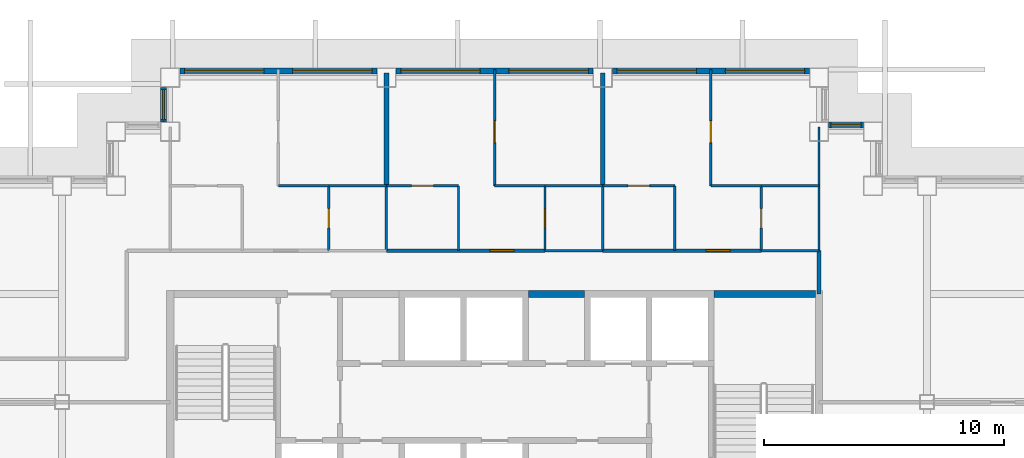
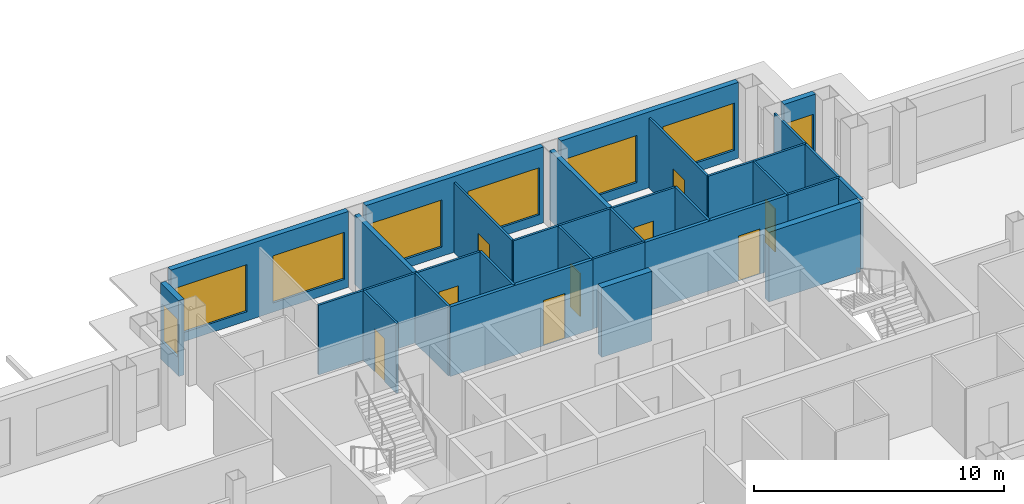
# One storey, part 8 of 14: 33 walls, 9 doors, 8 windows, 17 openings.
"""IFC4 building model written with IfcOpenShell, lengths in metres."""

import ifcopenshell
import ifcopenshell.guid

model = None  # the IFC model being written
_history = None  # IfcOwnerHistory: only IFC2X3 demands one
_inside = {}  # id of a spatial element -> (the spatial element, [elements in it])
_under = {}  # id of a project, library or spatial element -> (it, [spatial elements below it])
_declared = {}  # id of a project -> (the project, [libraries it declares])
_typed = {}  # id of a type object -> (the type object, [elements of that type])
_made_of = {}  # id of a material, layer set ... -> (it, [elements and type objects made of it])


def new_model(schema):
    """Start an empty IFC model of exactly this schema.

    Asked for "IFC4X3", IfcOpenShell would pick the latest addendum, in which some entities
    have other attributes; the version numbers below select the first issue.
    IFC2X3 requires an IfcOwnerHistory on every rooted entity: one is made here for all.
    """
    global model, _history
    if schema == "IFC4X3":
        model = ifcopenshell.file(schema_version=(4, 3, 0, 0))
    else:
        model = ifcopenshell.file(schema=schema)
    _inside.clear()
    _under.clear()
    _declared.clear()
    _typed.clear()
    _made_of.clear()
    _history = None
    if model.schema == "IFC2X3":
        org = make("IfcOrganization", Name="unknown")
        user = make(
            "IfcPersonAndOrganization",
            ThePerson=make("IfcPerson", FamilyName="unknown"),
            TheOrganization=org,
        )
        app = make(
            "IfcApplication",
            ApplicationDeveloper=org,
            Version="unknown",
            ApplicationFullName="unknown",
            ApplicationIdentifier="unknown",
        )
        _history = make(
            "IfcOwnerHistory",
            OwningUser=user,
            OwningApplication=app,
            ChangeAction="ADDED",
            CreationDate=0,
        )
    return model


def make(cls, **values):
    """One entity of the class cls with the attributes given. An attribute that is None is left unset."""
    return model.create_entity(
        cls, **{name: value for name, value in values.items() if value is not None}
    )


def rooted(cls, **values):
    """An entity with a GlobalId (a new one), such as an element, a storey or a relation."""
    return make(cls, GlobalId=ifcopenshell.guid.new(), OwnerHistory=_history, **values)


def si_unit(unit_type, name, prefix=None):
    """IfcSIUnit, for example si_unit("LENGTHUNIT", "METRE", prefix="MILLI")."""
    return make("IfcSIUnit", UnitType=unit_type, Prefix=prefix, Name=name)


def assignment(units):
    """IfcUnitAssignment: the units of a project."""
    return None if units is None else make("IfcUnitAssignment", Units=units)


def point(xyz):
    """IfcCartesianPoint."""
    return None if xyz is None else make("IfcCartesianPoint", Coordinates=xyz)


def direction(xyz):
    """IfcDirection."""
    return None if xyz is None else make("IfcDirection", DirectionRatios=xyz)


def frame(location, z_axis=None, x_axis=None):
    """IfcAxis2Placement3D, a coordinate frame: its origin and axes. An axis left out is left unset."""
    return make(
        "IfcAxis2Placement3D",
        Location=point(location),
        Axis=direction(z_axis),
        RefDirection=direction(x_axis),
    )


def frame_2d(location, x_axis=None):
    """IfcAxis2Placement2D, a coordinate frame in the plane: its origin and x axis."""
    return make(
        "IfcAxis2Placement2D", Location=point(location), RefDirection=direction(x_axis)
    )


def origin():
    """The frame at (0, 0, 0) with its axes left unset."""
    return frame((0.0, 0.0, 0.0))


def place(relative_to, where):
    """IfcLocalPlacement: puts the frame where relative to a parent placement (None: the world)."""
    return make(
        "IfcLocalPlacement", PlacementRelTo=relative_to, RelativePlacement=where
    )


def context(
    kind, dimensions, precision=None, world=None, true_north=None, identifier=None
):
    """IfcGeometricRepresentationContext, for example the 3D "Model" context."""
    return make(
        "IfcGeometricRepresentationContext",
        ContextIdentifier=identifier,
        ContextType=kind,
        CoordinateSpaceDimension=dimensions,
        Precision=precision,
        WorldCoordinateSystem=world,
        TrueNorth=true_north,
    )


def subcontext(parent, identifier, kind, view, scale=None):
    """IfcGeometricRepresentationSubContext, for example "Body" below "Model"."""
    return make(
        "IfcGeometricRepresentationSubContext",
        ContextIdentifier=identifier,
        ContextType=kind,
        ParentContext=parent,
        TargetScale=scale,
        TargetView=view,
    )


def project(units=None, contexts=None):
    """IfcProject with its units and contexts."""
    return rooted(
        "IfcProject",
        Name="project",
        RepresentationContexts=contexts,
        UnitsInContext=assignment(units),
    )


def spatial(cls, under=None, at=None, **own):
    """A site, building, storey or space (cls), placed at a placement, below another one or the project."""
    s = rooted(cls, ObjectPlacement=at, **own)
    if under is not None:
        _under.setdefault(under.id(), (under, []))[1].append(s)
    return s


def profile(cls, at=None, kind="AREA", **sizes):
    """A parametric profile (cls). Its sizes go by their IFC names, for example OverallWidth=200.0."""
    return make(cls, ProfileType=kind, Position=at, **sizes)


def rectangle(**sizes):
    """IfcRectangleProfileDef."""
    return profile("IfcRectangleProfileDef", **sizes)


def extrude(swept, where, along, depth):
    """IfcExtrudedAreaSolid: the profile swept, set in the frame where, extruded along a direction by depth."""
    return make(
        "IfcExtrudedAreaSolid",
        SweptArea=swept,
        Position=where,
        ExtrudedDirection=direction(along),
        Depth=depth,
    )


def shape(context_of_items, identifier, shape_type, items):
    """IfcShapeRepresentation: the items that make up one representation, for example the "Body"."""
    return make(
        "IfcShapeRepresentation",
        ContextOfItems=context_of_items,
        RepresentationIdentifier=identifier,
        RepresentationType=shape_type,
        Items=items,
    )


def material(Name=None, Category=None):
    """IfcMaterial."""
    return make("IfcMaterial", Name=Name, Category=Category)


def layer(
    of_material, thickness, ventilated=None, Name=None, Category=None, Priority=None
):
    """IfcMaterialLayer: one layer of a wall or slab, of a material (None: an air gap)."""
    return make(
        "IfcMaterialLayer",
        Material=of_material,
        LayerThickness=thickness,
        IsVentilated=ventilated,
        Name=Name,
        Category=Category,
        Priority=Priority,
    )


def layer_set(layers, Name=None):
    """IfcMaterialLayerSet."""
    return make("IfcMaterialLayerSet", MaterialLayers=layers, LayerSetName=Name)


def made_of(thing, what):
    """Note that an element or type object is made of a material, layer set ...; save() writes the relation."""
    if what is not None:
        _made_of.setdefault(what.id(), (what, []))[1].append(thing)
    return thing


def type_object(cls, material=None, **own):
    """A type object (cls), such as IfcWallType, which elements share."""
    return made_of(rooted(cls, **own), material)


def element(
    cls,
    number,
    at=None,
    inside=None,
    cuts=None,
    type_object=None,
    material=None,
    context=None,
    identifier="Body",
    shape_type=None,
    held_by="IfcProductDefinitionShape",
    body=None,
    shapes=None,
    **own,
):
    """One element of the class cls, such as IfcWall. Its Tag is "e" and its number.

    at: its placement. inside: the storey or other place that contains it. cuts: it is an
    opening in that element (IfcRelVoidsElement). A single representation is given by context,
    identifier, shape_type and body (its items); several are given by shapes. held_by: the class
    of the entity that holds the representations. save() writes the other relations.
    """
    e = rooted(cls, Tag="e%d" % number, ObjectPlacement=at, **own)
    if body is not None:
        shapes = [shape(context, identifier, shape_type, body)]
    if shapes is not None:
        e.Representation = make(held_by, Representations=shapes)
    if inside is not None:
        _inside.setdefault(inside.id(), (inside, []))[1].append(e)
    if cuts is not None:
        rooted(
            "IfcRelVoidsElement", RelatingBuildingElement=cuts, RelatedOpeningElement=e
        )
    if type_object is not None:
        _typed.setdefault(type_object.id(), (type_object, []))[1].append(e)
    return made_of(e, material)


def fill(opening, filler):
    """IfcRelFillsElement: the door or window that sits in an opening."""
    return rooted(
        "IfcRelFillsElement",
        RelatingOpeningElement=opening,
        RelatedBuildingElement=filler,
    )


def aggregate(whole, parts):
    """IfcRelAggregates: a whole, such as a stair, and the parts it consists of."""
    return rooted("IfcRelAggregates", RelatingObject=whole, RelatedObjects=parts)


def save(model, path):
    """Write the relations noted so far, then the file.

    IfcRelAggregates (storeys below a building ...), IfcRelContainedInSpatialStructure (elements
    in a storey), IfcRelDefinesByType, IfcRelAssociatesMaterial and IfcRelDeclares: one each for
    every whole, place, type object, material and project.
    """
    for whole, parts in _under.values():
        aggregate(whole, parts)
    for where, things in _inside.values():
        rooted(
            "IfcRelContainedInSpatialStructure",
            RelatedElements=things,
            RelatingStructure=where,
        )
    for kind, things in _typed.values():
        rooted("IfcRelDefinesByType", RelatedObjects=things, RelatingType=kind)
    for what, things in _made_of.values():
        rooted("IfcRelAssociatesMaterial", RelatedObjects=things, RelatingMaterial=what)
    for by, libraries in _declared.values():
        rooted("IfcRelDeclares", RelatingContext=by, RelatedDefinitions=libraries)
    model.write(path)


model = new_model("IFC4")

# Units and contexts
model_context = context("Model", 3, precision=1e-05, world=origin(), true_north=direction((0.0, 1.0)))
body_context = subcontext(model_context, "Body", "Model", "MODEL_VIEW")
ifc_project = project(units=[si_unit("LENGTHUNIT", "METRE"), si_unit("AREAUNIT", "SQUARE_METRE"), si_unit("VOLUMEUNIT", "CUBIC_METRE"), si_unit("PLANEANGLEUNIT", "RADIAN"), si_unit("MASSUNIT", "GRAM", prefix="KILO")], contexts=[model_context])

# Site, building, storey
site_placement = place(None, origin())
site = spatial("IfcSite", under=ifc_project, at=site_placement, CompositionType="ELEMENT")
building_placement = place(site_placement, origin())
building = spatial("IfcBuilding", under=site, at=building_placement, Name="Caravel Reach Hotel and Residences", CompositionType="ELEMENT")
storey_placement = place(building_placement, frame((0.0, 0.0, 161.699951171875)))
storey = spatial("IfcBuildingStorey", under=building, at=storey_placement, Name="L40", CompositionType="ELEMENT", Elevation=161.699951171875)

# Walls
ifc_material_1 = material(Name="Gypsum board on steel stud", Category="steel")
ifc_layer_1 = layer(ifc_material_1, 0.10009765625)
ifc_layer_set_1 = layer_set([ifc_layer_1], Name="Bathroom pod wall 100 mm")
wall_type_1 = type_object("IfcWallType", Name="Bathroom pod wall 100 mm", PredefinedType="PARTITIONING", material=ifc_layer_set_1)
for number, where, z_axis, x_axis, name in (
    (1, (33.60009765625, 33.300048828125, 0.0), (0.0, 0.0, 1.0), (1.0, 0.0, 0.0), "L40 wall w084"),
    (2, (42.60009765625, 33.300048828125, 0.0), (0.0, 0.0, 1.0), (1.0, 0.0, 0.0), "L40 wall w085"),
    (3, (24.60009765625, 36.0, 0.0), (0.0, 0.0, 1.0), (1.0, 0.0, 0.0), "L40 wall w086"),
    (4, (33.60009765625, 36.0, 0.0), (0.0, 0.0, 1.0), (1.0, 0.0, 0.0), "L40 wall w087"),
    (5, (42.60009765625, 36.0, 0.0), (0.0, 0.0, 1.0), (1.0, 0.0, 0.0), "L40 wall w088"),
):
    element("IfcWall", number, at=place(storey_placement, frame(where, z_axis=z_axis, x_axis=x_axis)), inside=storey, type_object=wall_type_1, Name=name, PredefinedType="PARTITIONING", context=body_context, shape_type="SweptSolid", body=[
        extrude(rectangle(XDim=2.39990234375, YDim=0.10009765625, at=frame_2d((1.199951171875, 0.0))), origin(), (0.0, 0.0, 1.0), 3.400146484375),
    ])

# Wall, opening, door
wall_1_placement = place(storey_placement, frame((24.60009765625, 33.300048828125, 0.0), z_axis=(0.0, 0.0, 1.0), x_axis=(0.0, 1.0, 0.0)))
wall_1 = element("IfcWall", 6, at=wall_1_placement, inside=storey, type_object=wall_type_1, Name="L40 wall w092", PredefinedType="PARTITIONING", context=body_context, shape_type="SweptSolid", body=[
    extrude(rectangle(XDim=2.699951171875, YDim=0.10009765625, at=frame_2d((1.35009765625, 0.0))), origin(), (0.0, 0.0, 1.0), 3.400146484375),
])
opening_1_placement = place(wall_1_placement, frame((0.949951171875, 0.0, 0.0)))
opening_1 = element("IfcOpeningElement", 7, at=opening_1_placement, cuts=wall_1, Name="Opening D40-018", PredefinedType="OPENING", context=body_context, shape_type="SweptSolid", body=[
    extrude(rectangle(XDim=0.800048828125, YDim=2.10009765625, at=frame_2d((0.39990234375, 1.050048828125))), frame((0.0, 0.06005859375, 0.0), z_axis=(0.0, -1.0, 0.0), x_axis=(1.0, 0.0, 0.0)), (0.0, 0.0, 1.0), 0.1201171875),
])
ifc_material_2 = material(Name="Timber and steel door leaf", Category="steel")
door_type_1 = type_object("IfcDoorType", Name="Bathroom door 800 x 2100", OperationType="SINGLE_SWING_LEFT", PredefinedType="DOOR", material=ifc_material_2)
door_1_placement = place(opening_1_placement, origin())
door_1 = element("IfcDoor", 8, at=door_1_placement, inside=storey, type_object=door_type_1, Name="door D40-018", OperationType="SINGLE_SWING_LEFT", OverallHeight=2.10009765625, OverallWidth=0.800048828125, PredefinedType="DOOR", context=body_context, shape_type="SweptSolid", body=[
    extrude(rectangle(XDim=0.800048828125, YDim=2.10009765625, at=frame_2d((0.39990234375, 1.050048828125))), frame((0.0, 0.02490234375, 0.0), z_axis=(0.0, -1.0, 0.0), x_axis=(1.0, 0.0, 0.0)), (0.0, 0.0, 1.0), 0.050048828125),
])
fill(opening_1, door_1)

# Wall
wall_2_placement = place(storey_placement, frame((27.0, 33.300048828125, 0.0), z_axis=(0.0, 0.0, 1.0), x_axis=(0.0, 1.0, 0.0)))
element("IfcWall", 9, at=wall_2_placement, inside=storey, type_object=wall_type_1, Name="L40 wall w093", PredefinedType="PARTITIONING", context=body_context, shape_type="SweptSolid", body=[
    extrude(rectangle(XDim=2.699951171875, YDim=0.10009765625, at=frame_2d((1.35009765625, 0.0))), origin(), (0.0, 0.0, 1.0), 3.400146484375),
])

# Wall, opening, door
wall_3_placement = place(storey_placement, frame((33.60009765625, 33.300048828125, 0.0), z_axis=(0.0, 0.0, 1.0), x_axis=(0.0, 1.0, 0.0)))
wall_3 = element("IfcWall", 10, at=wall_3_placement, inside=storey, type_object=wall_type_1, Name="L40 wall w098", PredefinedType="PARTITIONING", context=body_context, shape_type="SweptSolid", body=[
    extrude(rectangle(XDim=2.699951171875, YDim=0.10009765625, at=frame_2d((1.35009765625, 0.0))), origin(), (0.0, 0.0, 1.0), 3.400146484375),
])
opening_2_placement = place(wall_3_placement, frame((0.949951171875, 0.0, 0.0)))
opening_2 = element("IfcOpeningElement", 11, at=opening_2_placement, cuts=wall_3, Name="Opening D40-022", PredefinedType="OPENING", context=body_context, shape_type="SweptSolid", body=[
    extrude(rectangle(XDim=0.800048828125, YDim=2.10009765625, at=frame_2d((0.39990234375, 1.050048828125))), frame((0.0, 0.06005859375, 0.0), z_axis=(0.0, -1.0, 0.0), x_axis=(1.0, 0.0, 0.0)), (0.0, 0.0, 1.0), 0.1201171875),
])
door_2_placement = place(opening_2_placement, origin())
door_2 = element("IfcDoor", 12, at=door_2_placement, inside=storey, type_object=door_type_1, Name="door D40-022", OperationType="SINGLE_SWING_LEFT", OverallHeight=2.10009765625, OverallWidth=0.800048828125, PredefinedType="DOOR", context=body_context, shape_type="SweptSolid", body=[
    extrude(rectangle(XDim=0.800048828125, YDim=2.10009765625, at=frame_2d((0.39990234375, 1.050048828125))), frame((0.0, 0.02490234375, 0.0), z_axis=(0.0, -1.0, 0.0), x_axis=(1.0, 0.0, 0.0)), (0.0, 0.0, 1.0), 0.050048828125),
])
fill(opening_2, door_2)

# Wall
wall_4_placement = place(storey_placement, frame((36.0, 33.300048828125, 0.0), z_axis=(0.0, 0.0, 1.0), x_axis=(0.0, 1.0, 0.0)))
element("IfcWall", 13, at=wall_4_placement, inside=storey, type_object=wall_type_1, Name="L40 wall w099", PredefinedType="PARTITIONING", context=body_context, shape_type="SweptSolid", body=[
    extrude(rectangle(XDim=2.699951171875, YDim=0.10009765625, at=frame_2d((1.35009765625, 0.0))), origin(), (0.0, 0.0, 1.0), 3.400146484375),
])

# Wall, opening, door
wall_5_placement = place(storey_placement, frame((42.60009765625, 33.300048828125, 0.0), z_axis=(0.0, 0.0, 1.0), x_axis=(0.0, 1.0, 0.0)))
wall_5 = element("IfcWall", 14, at=wall_5_placement, inside=storey, type_object=wall_type_1, Name="L40 wall w102", PredefinedType="PARTITIONING", context=body_context, shape_type="SweptSolid", body=[
    extrude(rectangle(XDim=2.699951171875, YDim=0.10009765625, at=frame_2d((1.35009765625, 0.0))), origin(), (0.0, 0.0, 1.0), 3.400146484375),
])
opening_3_placement = place(wall_5_placement, frame((0.949951171875, 0.0, 0.0)))
opening_3 = element("IfcOpeningElement", 15, at=opening_3_placement, cuts=wall_5, Name="Opening D40-026", PredefinedType="OPENING", context=body_context, shape_type="SweptSolid", body=[
    extrude(rectangle(XDim=0.800048828125, YDim=2.10009765625, at=frame_2d((0.39990234375, 1.050048828125))), frame((0.0, 0.06005859375, 0.0), z_axis=(0.0, -1.0, 0.0), x_axis=(1.0, 0.0, 0.0)), (0.0, 0.0, 1.0), 0.1201171875),
])
door_3_placement = place(opening_3_placement, origin())
door_3 = element("IfcDoor", 16, at=door_3_placement, inside=storey, type_object=door_type_1, Name="door D40-026", OperationType="SINGLE_SWING_LEFT", OverallHeight=2.10009765625, OverallWidth=0.800048828125, PredefinedType="DOOR", context=body_context, shape_type="SweptSolid", body=[
    extrude(rectangle(XDim=0.800048828125, YDim=2.10009765625, at=frame_2d((0.39990234375, 1.050048828125))), frame((0.0, 0.02490234375, 0.0), z_axis=(0.0, -1.0, 0.0), x_axis=(1.0, 0.0, 0.0)), (0.0, 0.0, 1.0), 0.050048828125),
])
fill(opening_3, door_3)

# Walls
wall_6_placement = place(storey_placement, frame((45.0, 33.300048828125, 0.0), z_axis=(0.0, 0.0, 1.0), x_axis=(0.0, 1.0, 0.0)))
element("IfcWall", 17, at=wall_6_placement, inside=storey, type_object=wall_type_1, Name="L40 wall w103", PredefinedType="PARTITIONING", context=body_context, shape_type="SweptSolid", body=[
    extrude(rectangle(XDim=2.699951171875, YDim=0.10009765625, at=frame_2d((1.35009765625, 0.0))), origin(), (0.0, 0.0, 1.0), 3.400146484375),
])
ifc_material_3 = material(Name="Concrete C60", Category="concrete")
ifc_layer_2 = layer(ifc_material_3, 0.300048828125)
ifc_layer_set_2 = layer_set([ifc_layer_2], Name="Core wall 300 mm EI 120")
wall_type_2 = type_object("IfcWallType", Name="Core wall 300 mm EI 120", PredefinedType="SHEAR", material=ifc_layer_set_2)
wall_7_placement = place(storey_placement, frame((32.91064453125, 31.5, 0.0), z_axis=(0.0, 0.0, 1.0), x_axis=(1.0, 0.0, 0.0)))
element("IfcWall", 18, at=wall_7_placement, inside=storey, type_object=wall_type_2, Name="L40 core wall N2", PredefinedType="SHEAR", context=body_context, shape_type="SweptSolid", body=[
    extrude(rectangle(XDim=2.321533203125, YDim=0.300048828125, at=frame_2d((1.16064453125, 0.0))), origin(), (0.0, 0.0, 1.0), 3.400146484375),
])
wall_8_placement = place(storey_placement, frame((40.625, 31.5, 0.0), z_axis=(0.0, 0.0, 1.0), x_axis=(1.0, 0.0, 0.0)))
element("IfcWall", 19, at=wall_8_placement, inside=storey, type_object=wall_type_2, Name="L40 core wall N3", PredefinedType="SHEAR", context=body_context, shape_type="SweptSolid", body=[
    extrude(rectangle(XDim=4.22509765625, YDim=0.300048828125, at=frame_2d((2.112548828125, 0.0))), origin(), (0.0, 0.0, 1.0), 3.400146484375),
])

# Wall, opening, door
ifc_material_4 = material(Name="Gypsum board on steel stud, fire-rated", Category="steel")
ifc_layer_3 = layer(ifc_material_4, 0.14990234375)
ifc_layer_set_3 = layer_set([ifc_layer_3], Name="Corridor wall 150 mm EI 60")
wall_type_3 = type_object("IfcWallType", Name="Corridor wall 150 mm EI 60", PredefinedType="PARTITIONING", material=ifc_layer_set_3)
wall_9_placement = place(storey_placement, frame((27.0, 33.300048828125, 0.0), z_axis=(0.0, 0.0, 1.0), x_axis=(1.0, 0.0, 0.0)))
wall_9 = element("IfcWall", 20, at=wall_9_placement, inside=storey, type_object=wall_type_3, Name="L40 wall w015", PredefinedType="PARTITIONING", context=body_context, shape_type="SweptSolid", body=[
    extrude(rectangle(XDim=6.60009765625, YDim=0.14990234375, at=frame_2d((3.300048828125, 0.0))), origin(), (0.0, 0.0, 1.0), 3.400146484375),
])
opening_4_placement = place(wall_9_placement, frame((4.300048828125, 0.0, 0.0)))
opening_4 = element("IfcOpeningElement", 21, at=opening_4_placement, cuts=wall_9, Name="Opening D40-020", PredefinedType="OPENING", context=body_context, shape_type="SweptSolid", body=[
    extrude(rectangle(XDim=1.0, YDim=2.199951171875, at=frame_2d((0.5, 1.10009765625))), frame((0.0, 0.0849609375, 0.0), z_axis=(0.0, -1.0, 0.0), x_axis=(1.0, 0.0, 0.0)), (0.0, 0.0, 1.0), 0.169921875),
])
ifc_material_5 = material(Name="Steel fire door leaf", Category="steel")
door_type_2 = type_object("IfcDoorType", Name="Flat entrance door 1000 x 2200 EI 60", OperationType="SINGLE_SWING_LEFT", PredefinedType="DOOR", material=ifc_material_5)
door_4_placement = place(opening_4_placement, origin())
door_4 = element("IfcDoor", 22, at=door_4_placement, inside=storey, type_object=door_type_2, Name="door D40-020", OperationType="SINGLE_SWING_LEFT", OverallHeight=2.199951171875, OverallWidth=1.0, PredefinedType="DOOR", context=body_context, shape_type="SweptSolid", body=[
    extrude(rectangle(XDim=1.0, YDim=2.199951171875, at=frame_2d((0.5, 1.10009765625))), frame((0.0, 0.02490234375, 0.0), z_axis=(0.0, -1.0, 0.0), x_axis=(1.0, 0.0, 0.0)), (0.0, 0.0, 1.0), 0.050048828125),
])
fill(opening_4, door_4)

wall_10_placement = place(storey_placement, frame((36.0, 33.300048828125, 0.0), z_axis=(0.0, 0.0, 1.0), x_axis=(1.0, 0.0, 0.0)))
wall_10 = element("IfcWall", 23, at=wall_10_placement, inside=storey, type_object=wall_type_3, Name="L40 wall w017", PredefinedType="PARTITIONING", context=body_context, shape_type="SweptSolid", body=[
    extrude(rectangle(XDim=6.60009765625, YDim=0.14990234375, at=frame_2d((3.300048828125, 0.0))), origin(), (0.0, 0.0, 1.0), 3.400146484375),
])
opening_5_placement = place(wall_10_placement, frame((4.300048828125, 0.0, 0.0)))
opening_5 = element("IfcOpeningElement", 24, at=opening_5_placement, cuts=wall_10, Name="Opening D40-024", PredefinedType="OPENING", context=body_context, shape_type="SweptSolid", body=[
    extrude(rectangle(XDim=1.0, YDim=2.199951171875, at=frame_2d((0.5, 1.10009765625))), frame((0.0, 0.0849609375, 0.0), z_axis=(0.0, -1.0, 0.0), x_axis=(1.0, 0.0, 0.0)), (0.0, 0.0, 1.0), 0.169921875),
])
door_5_placement = place(opening_5_placement, origin())
door_5 = element("IfcDoor", 25, at=door_5_placement, inside=storey, type_object=door_type_2, Name="door D40-024", OperationType="SINGLE_SWING_RIGHT", OverallHeight=2.199951171875, OverallWidth=1.0, PredefinedType="DOOR", context=body_context, shape_type="SweptSolid", body=[
    extrude(rectangle(XDim=1.0, YDim=2.199951171875, at=frame_2d((0.5, 1.10009765625))), frame((0.0, 0.02490234375, 0.0), z_axis=(0.0, -1.0, 0.0), x_axis=(1.0, 0.0, 0.0)), (0.0, 0.0, 1.0), 0.050048828125),
])
fill(opening_5, door_5)

# Wall
wall_11_placement = place(storey_placement, frame((45.0, 31.5, 0.0), z_axis=(0.0, 0.0, 1.0), x_axis=(0.0, 1.0, 0.0)))
element("IfcWall", 26, at=wall_11_placement, inside=storey, type_object=wall_type_3, Name="L40 wall w028", PredefinedType="PARTITIONING", context=body_context, shape_type="SweptSolid", body=[
    extrude(rectangle(XDim=1.800048828125, YDim=0.14990234375, at=frame_2d((0.89990234375, 0.0))), origin(), (0.0, 0.0, 1.0), 3.400146484375),
])

# Wall, opening, window
ifc_material_6 = material(Name="Insulated rainscreen wall, aluminium cladding", Category="aluminium")
ifc_layer_4 = layer(ifc_material_6, 0.25)
ifc_layer_set_4 = layer_set([ifc_layer_4], Name="EW1 Tower rainscreen wall")
wall_type_4 = type_object("IfcWallType", Name="EW1 Tower rainscreen wall", PredefinedType="SOLIDWALL", material=ifc_layer_set_4)
wall_12_placement = place(storey_placement, frame((46.85009765625, 38.52490234375, 0.0), z_axis=(0.0, 0.0, 1.0), x_axis=(-1.0, 0.0, 0.0)))
wall_12 = element("IfcWall", 27, at=wall_12_placement, inside=storey, type_object=wall_type_4, Name="External wall L40 N27.1", PredefinedType="SOLIDWALL", context=body_context, shape_type="SweptSolid", body=[
    extrude(rectangle(XDim=1.4501953125, YDim=0.25, at=frame_2d((0.72509765625, 0.0))), origin(), (0.0, 0.0, 1.0), 3.699951171875),
])
opening_6_placement = place(wall_12_placement, frame((0.10009765625, 0.0, 0.89990234375)))
opening_6 = element("IfcOpeningElement", 28, at=opening_6_placement, cuts=wall_12, Name="Opening WN13", PredefinedType="OPENING", context=body_context, shape_type="SweptSolid", body=[
    extrude(rectangle(XDim=1.25, YDim=1.85009765625, at=frame_2d((0.625, 0.925048828125))), frame((0.0, 0.135009765625, 0.0), z_axis=(0.0, -1.0, 0.0), x_axis=(1.0, 0.0, 0.0)), (0.0, 0.0, 1.0), 0.27001953125),
])
ifc_material_7 = material(Name="Dark low-e glazing in black aluminium frame", Category="aluminium")
window_type_1 = type_object("IfcWindowType", Name="Residence bedroom window 1250 x 1850", PartitioningType="SINGLE_PANEL", PredefinedType="WINDOW", material=ifc_material_7)
window_1_placement = place(opening_6_placement, origin())
window_1 = element("IfcWindow", 29, at=window_1_placement, inside=storey, type_object=window_type_1, Name="Window L40 N27.1.1", OverallHeight=1.85009765625, OverallWidth=1.25, PartitioningType="SINGLE_PANEL", PredefinedType="WINDOW", context=body_context, shape_type="SweptSolid", body=[
    extrude(rectangle(XDim=1.25, YDim=1.85009765625, at=frame_2d((0.625, 0.925048828125))), frame((0.0, 0.030029296875, 0.0), z_axis=(0.0, -1.0, 0.0), x_axis=(1.0, 0.0, 0.0)), (0.0, 0.0, 1.0), 0.06005859375),
])
fill(opening_6, window_1)

# Wall, openings, windows
wall_13_placement = place(storey_placement, frame((44.60009765625, 40.77490234375, 0.0), z_axis=(0.0, 0.0, 1.0), x_axis=(-1.0, 0.0, 0.0)))
wall_13 = element("IfcWall", 30, at=wall_13_placement, inside=storey, type_object=wall_type_4, Name="External wall L40 N29.1", PredefinedType="SOLIDWALL", context=body_context, shape_type="SweptSolid", body=[
    extrude(rectangle(XDim=8.2001953125, YDim=0.25, at=frame_2d((4.10009765625, 0.0))), origin(), (0.0, 0.0, 1.0), 3.699951171875),
])
opening_7_placement = place(wall_13_placement, frame((0.199951171875, 0.0, 0.449951171875)))
opening_7 = element("IfcOpeningElement", 31, at=opening_7_placement, cuts=wall_13, Name="Opening WN15", PredefinedType="OPENING", context=body_context, shape_type="SweptSolid", body=[
    extrude(rectangle(XDim=3.300048828125, YDim=2.300048828125, at=frame_2d((1.64990234375, 1.14990234375))), frame((0.0, 0.135009765625, 0.0), z_axis=(0.0, -1.0, 0.0), x_axis=(1.0, 0.0, 0.0)), (0.0, 0.0, 1.0), 0.27001953125),
])
opening_8_placement = place(wall_13_placement, frame((4.699951171875, 0.0, 0.449951171875)))
opening_8 = element("IfcOpeningElement", 32, at=opening_8_placement, cuts=wall_13, Name="Opening WN15", PredefinedType="OPENING", context=body_context, shape_type="SweptSolid", body=[
    extrude(rectangle(XDim=3.300048828125, YDim=2.300048828125, at=frame_2d((1.64990234375, 1.14990234375))), frame((0.0, 0.135009765625, 0.0), z_axis=(0.0, -1.0, 0.0), x_axis=(1.0, 0.0, 0.0)), (0.0, 0.0, 1.0), 0.27001953125),
])
ifc_material_8 = material(Name="Dark low-e glazing in black aluminium frame", Category="aluminium")
window_type_2 = type_object("IfcWindowType", Name="Residence living window 3300 x 2300", PartitioningType="SINGLE_PANEL", PredefinedType="WINDOW", material=ifc_material_8)
window_2_placement = place(opening_7_placement, origin())
window_2 = element("IfcWindow", 33, at=window_2_placement, inside=storey, type_object=window_type_2, Name="Window L40 N29.1.1", OverallHeight=2.300048828125, OverallWidth=3.300048828125, PartitioningType="SINGLE_PANEL", PredefinedType="WINDOW", context=body_context, shape_type="SweptSolid", body=[
    extrude(rectangle(XDim=3.300048828125, YDim=2.300048828125, at=frame_2d((1.64990234375, 1.14990234375))), frame((0.0, 0.030029296875, 0.0), z_axis=(0.0, -1.0, 0.0), x_axis=(1.0, 0.0, 0.0)), (0.0, 0.0, 1.0), 0.06005859375),
])
fill(opening_7, window_2)
window_3_placement = place(opening_8_placement, origin())
window_3 = element("IfcWindow", 34, at=window_3_placement, inside=storey, type_object=window_type_2, Name="Window L40 N29.1.2", OverallHeight=2.300048828125, OverallWidth=3.300048828125, PartitioningType="SINGLE_PANEL", PredefinedType="WINDOW", context=body_context, shape_type="SweptSolid", body=[
    extrude(rectangle(XDim=3.300048828125, YDim=2.300048828125, at=frame_2d((1.64990234375, 1.14990234375))), frame((0.0, 0.030029296875, 0.0), z_axis=(0.0, -1.0, 0.0), x_axis=(1.0, 0.0, 0.0)), (0.0, 0.0, 1.0), 0.06005859375),
])
fill(opening_8, window_3)

wall_14_placement = place(storey_placement, frame((35.60009765625, 40.77490234375, 0.0), z_axis=(0.0, 0.0, 1.0), x_axis=(-1.0, 0.0, 0.0)))
wall_14 = element("IfcWall", 35, at=wall_14_placement, inside=storey, type_object=wall_type_4, Name="External wall L40 N29.2", PredefinedType="SOLIDWALL", context=body_context, shape_type="SweptSolid", body=[
    extrude(rectangle(XDim=8.2001953125, YDim=0.25, at=frame_2d((4.10009765625, 0.0))), origin(), (0.0, 0.0, 1.0), 3.699951171875),
])
opening_9_placement = place(wall_14_placement, frame((0.199951171875, 0.0, 0.449951171875)))
opening_9 = element("IfcOpeningElement", 36, at=opening_9_placement, cuts=wall_14, Name="Opening WN15", PredefinedType="OPENING", context=body_context, shape_type="SweptSolid", body=[
    extrude(rectangle(XDim=3.300048828125, YDim=2.300048828125, at=frame_2d((1.64990234375, 1.14990234375))), frame((0.0, 0.135009765625, 0.0), z_axis=(0.0, -1.0, 0.0), x_axis=(1.0, 0.0, 0.0)), (0.0, 0.0, 1.0), 0.27001953125),
])
opening_10_placement = place(wall_14_placement, frame((4.699951171875, 0.0, 0.449951171875)))
opening_10 = element("IfcOpeningElement", 37, at=opening_10_placement, cuts=wall_14, Name="Opening WN15", PredefinedType="OPENING", context=body_context, shape_type="SweptSolid", body=[
    extrude(rectangle(XDim=3.300048828125, YDim=2.300048828125, at=frame_2d((1.64990234375, 1.14990234375))), frame((0.0, 0.135009765625, 0.0), z_axis=(0.0, -1.0, 0.0), x_axis=(1.0, 0.0, 0.0)), (0.0, 0.0, 1.0), 0.27001953125),
])
window_4_placement = place(opening_9_placement, origin())
window_4 = element("IfcWindow", 38, at=window_4_placement, inside=storey, type_object=window_type_2, Name="Window L40 N29.2.1", OverallHeight=2.300048828125, OverallWidth=3.300048828125, PartitioningType="SINGLE_PANEL", PredefinedType="WINDOW", context=body_context, shape_type="SweptSolid", body=[
    extrude(rectangle(XDim=3.300048828125, YDim=2.300048828125, at=frame_2d((1.64990234375, 1.14990234375))), frame((0.0, 0.030029296875, 0.0), z_axis=(0.0, -1.0, 0.0), x_axis=(1.0, 0.0, 0.0)), (0.0, 0.0, 1.0), 0.06005859375),
])
fill(opening_9, window_4)
window_5_placement = place(opening_10_placement, origin())
window_5 = element("IfcWindow", 39, at=window_5_placement, inside=storey, type_object=window_type_2, Name="Window L40 N29.2.2", OverallHeight=2.300048828125, OverallWidth=3.300048828125, PartitioningType="SINGLE_PANEL", PredefinedType="WINDOW", context=body_context, shape_type="SweptSolid", body=[
    extrude(rectangle(XDim=3.300048828125, YDim=2.300048828125, at=frame_2d((1.64990234375, 1.14990234375))), frame((0.0, 0.030029296875, 0.0), z_axis=(0.0, -1.0, 0.0), x_axis=(1.0, 0.0, 0.0)), (0.0, 0.0, 1.0), 0.06005859375),
])
fill(opening_10, window_5)

wall_15_placement = place(storey_placement, frame((26.60009765625, 40.77490234375, 0.0), z_axis=(0.0, 0.0, 1.0), x_axis=(-1.0, 0.0, 0.0)))
wall_15 = element("IfcWall", 40, at=wall_15_placement, inside=storey, type_object=wall_type_4, Name="External wall L40 N29.3", PredefinedType="SOLIDWALL", context=body_context, shape_type="SweptSolid", body=[
    extrude(rectangle(XDim=8.2001953125, YDim=0.25, at=frame_2d((4.10009765625, 0.0))), origin(), (0.0, 0.0, 1.0), 3.699951171875),
])
opening_11_placement = place(wall_15_placement, frame((0.199951171875, 0.0, 0.449951171875)))
opening_11 = element("IfcOpeningElement", 41, at=opening_11_placement, cuts=wall_15, Name="Opening WN15", PredefinedType="OPENING", context=body_context, shape_type="SweptSolid", body=[
    extrude(rectangle(XDim=3.300048828125, YDim=2.300048828125, at=frame_2d((1.64990234375, 1.14990234375))), frame((0.0, 0.135009765625, 0.0), z_axis=(0.0, -1.0, 0.0), x_axis=(1.0, 0.0, 0.0)), (0.0, 0.0, 1.0), 0.27001953125),
])
opening_12_placement = place(wall_15_placement, frame((4.699951171875, 0.0, 0.449951171875)))
opening_12 = element("IfcOpeningElement", 42, at=opening_12_placement, cuts=wall_15, Name="Opening WN15", PredefinedType="OPENING", context=body_context, shape_type="SweptSolid", body=[
    extrude(rectangle(XDim=3.300048828125, YDim=2.300048828125, at=frame_2d((1.64990234375, 1.14990234375))), frame((0.0, 0.135009765625, 0.0), z_axis=(0.0, -1.0, 0.0), x_axis=(1.0, 0.0, 0.0)), (0.0, 0.0, 1.0), 0.27001953125),
])
window_6_placement = place(opening_11_placement, origin())
window_6 = element("IfcWindow", 43, at=window_6_placement, inside=storey, type_object=window_type_2, Name="Window L40 N29.3.1", OverallHeight=2.300048828125, OverallWidth=3.300048828125, PartitioningType="SINGLE_PANEL", PredefinedType="WINDOW", context=body_context, shape_type="SweptSolid", body=[
    extrude(rectangle(XDim=3.300048828125, YDim=2.300048828125, at=frame_2d((1.64990234375, 1.14990234375))), frame((0.0, 0.030029296875, 0.0), z_axis=(0.0, -1.0, 0.0), x_axis=(1.0, 0.0, 0.0)), (0.0, 0.0, 1.0), 0.06005859375),
])
fill(opening_11, window_6)
window_7_placement = place(opening_12_placement, origin())
window_7 = element("IfcWindow", 44, at=window_7_placement, inside=storey, type_object=window_type_2, Name="Window L40 N29.3.2", OverallHeight=2.300048828125, OverallWidth=3.300048828125, PartitioningType="SINGLE_PANEL", PredefinedType="WINDOW", context=body_context, shape_type="SweptSolid", body=[
    extrude(rectangle(XDim=3.300048828125, YDim=2.300048828125, at=frame_2d((1.64990234375, 1.14990234375))), frame((0.0, 0.030029296875, 0.0), z_axis=(0.0, -1.0, 0.0), x_axis=(1.0, 0.0, 0.0)), (0.0, 0.0, 1.0), 0.06005859375),
])
fill(opening_12, window_7)

# Wall, opening, window
wall_16_placement = place(storey_placement, frame((17.72509765625, 40.10009765625, 0.0), z_axis=(0.0, 0.0, 1.0), x_axis=(0.0, -1.0, 0.0)))
wall_16 = element("IfcWall", 45, at=wall_16_placement, inside=storey, type_object=wall_type_4, Name="External wall L40 W30.1", PredefinedType="SOLIDWALL", context=body_context, shape_type="SweptSolid", body=[
    extrude(rectangle(XDim=1.4501953125, YDim=0.25, at=frame_2d((0.72509765625, 0.0))), origin(), (0.0, 0.0, 1.0), 3.699951171875),
])
opening_13_placement = place(wall_16_placement, frame((0.10009765625, 0.0, 0.89990234375)))
opening_13 = element("IfcOpeningElement", 46, at=opening_13_placement, cuts=wall_16, Name="Opening WN13", PredefinedType="OPENING", context=body_context, shape_type="SweptSolid", body=[
    extrude(rectangle(XDim=1.25, YDim=1.85009765625, at=frame_2d((0.625, 0.925048828125))), frame((0.0, 0.135009765625, 0.0), z_axis=(0.0, -1.0, 0.0), x_axis=(1.0, 0.0, 0.0)), (0.0, 0.0, 1.0), 0.27001953125),
])
window_8_placement = place(opening_13_placement, origin())
window_8 = element("IfcWindow", 47, at=window_8_placement, inside=storey, type_object=window_type_1, Name="Window L40 W30.1.1", OverallHeight=1.85009765625, OverallWidth=1.25, PartitioningType="SINGLE_PANEL", PredefinedType="WINDOW", context=body_context, shape_type="SweptSolid", body=[
    extrude(rectangle(XDim=1.25, YDim=1.85009765625, at=frame_2d((0.625, 0.925048828125))), frame((0.0, 0.030029296875, 0.0), z_axis=(0.0, -1.0, 0.0), x_axis=(1.0, 0.0, 0.0)), (0.0, 0.0, 1.0), 0.06005859375),
])
fill(opening_13, window_8)

# Walls
ifc_material_9 = material(Name="Gypsum board on steel stud", Category="steel")
ifc_layer_5 = layer(ifc_material_9, 0.10009765625)
ifc_layer_set_5 = layer_set([ifc_layer_5], Name="Partition 100 mm")
wall_type_5 = type_object("IfcWallType", Name="Partition 100 mm", PredefinedType="PARTITIONING", material=ifc_layer_set_5)
for number, where, z_axis, x_axis, name in (
    (48, (22.5, 36.0, 0.0), (0.0, 0.0, 1.0), (1.0, 0.0, 0.0), "L40 wall w044"),
    (49, (31.5, 36.0, 0.0), (0.0, 0.0, 1.0), (1.0, 0.0, 0.0), "L40 wall w046"),
):
    element("IfcWall", number, at=place(storey_placement, frame(where, z_axis=z_axis, x_axis=x_axis)), inside=storey, type_object=wall_type_5, Name=name, PredefinedType="PARTITIONING", context=body_context, shape_type="SweptSolid", body=[
        extrude(rectangle(XDim=2.10009765625, YDim=0.10009765625, at=frame_2d((1.050048828125, 0.0))), origin(), (0.0, 0.0, 1.0), 3.400146484375),
    ])

# Wall, opening, door
wall_17_placement = place(storey_placement, frame((27.0, 36.0, 0.0), z_axis=(0.0, 0.0, 1.0), x_axis=(1.0, 0.0, 0.0)))
wall_17 = element("IfcWall", 50, at=wall_17_placement, inside=storey, type_object=wall_type_5, Name="L40 wall w047", PredefinedType="PARTITIONING", context=body_context, shape_type="SweptSolid", body=[
    extrude(rectangle(XDim=3.0, YDim=0.10009765625, at=frame_2d((1.5, 0.0))), origin(), (0.0, 0.0, 1.0), 3.400146484375),
])
opening_14_placement = place(wall_17_placement, frame((1.050048828125, 0.0, 0.0)))
opening_14 = element("IfcOpeningElement", 51, at=opening_14_placement, cuts=wall_17, Name="Opening D40-021", PredefinedType="OPENING", context=body_context, shape_type="SweptSolid", body=[
    extrude(rectangle(XDim=0.89990234375, YDim=2.10009765625, at=frame_2d((0.449951171875, 1.050048828125))), frame((0.0, 0.06005859375, 0.0), z_axis=(0.0, -1.0, 0.0), x_axis=(1.0, 0.0, 0.0)), (0.0, 0.0, 1.0), 0.1201171875),
])
ifc_material_10 = material(Name="Timber and steel door leaf", Category="steel")
door_type_3 = type_object("IfcDoorType", Name="Door 900 x 2100 timber", OperationType="SINGLE_SWING_LEFT", PredefinedType="DOOR", material=ifc_material_10)
door_6_placement = place(opening_14_placement, origin())
door_6 = element("IfcDoor", 52, at=door_6_placement, inside=storey, type_object=door_type_3, Name="door D40-021", OperationType="SINGLE_SWING_LEFT", OverallHeight=2.10009765625, OverallWidth=0.89990234375, PredefinedType="DOOR", context=body_context, shape_type="SweptSolid", body=[
    extrude(rectangle(XDim=0.89990234375, YDim=2.10009765625, at=frame_2d((0.449951171875, 1.050048828125))), frame((0.0, 0.02490234375, 0.0), z_axis=(0.0, -1.0, 0.0), x_axis=(1.0, 0.0, 0.0)), (0.0, 0.0, 1.0), 0.050048828125),
])
fill(opening_14, door_6)

# Wall
wall_18_placement = place(storey_placement, frame((40.5, 36.0, 0.0), z_axis=(0.0, 0.0, 1.0), x_axis=(1.0, 0.0, 0.0)))
element("IfcWall", 53, at=wall_18_placement, inside=storey, type_object=wall_type_5, Name="L40 wall w048", PredefinedType="PARTITIONING", context=body_context, shape_type="SweptSolid", body=[
    extrude(rectangle(XDim=2.10009765625, YDim=0.10009765625, at=frame_2d((1.050048828125, 0.0))), origin(), (0.0, 0.0, 1.0), 3.400146484375),
])

# Wall, opening, door
wall_19_placement = place(storey_placement, frame((36.0, 36.0, 0.0), z_axis=(0.0, 0.0, 1.0), x_axis=(1.0, 0.0, 0.0)))
wall_19 = element("IfcWall", 54, at=wall_19_placement, inside=storey, type_object=wall_type_5, Name="L40 wall w049", PredefinedType="PARTITIONING", context=body_context, shape_type="SweptSolid", body=[
    extrude(rectangle(XDim=3.0, YDim=0.10009765625, at=frame_2d((1.5, 0.0))), origin(), (0.0, 0.0, 1.0), 3.400146484375),
])
opening_15_placement = place(wall_19_placement, frame((1.050048828125, 0.0, 0.0)))
opening_15 = element("IfcOpeningElement", 55, at=opening_15_placement, cuts=wall_19, Name="Opening D40-025", PredefinedType="OPENING", context=body_context, shape_type="SweptSolid", body=[
    extrude(rectangle(XDim=0.89990234375, YDim=2.10009765625, at=frame_2d((0.449951171875, 1.050048828125))), frame((0.0, 0.06005859375, 0.0), z_axis=(0.0, -1.0, 0.0), x_axis=(1.0, 0.0, 0.0)), (0.0, 0.0, 1.0), 0.1201171875),
])
door_7_placement = place(opening_15_placement, origin())
door_7 = element("IfcDoor", 56, at=door_7_placement, inside=storey, type_object=door_type_3, Name="door D40-025", OperationType="SINGLE_SWING_LEFT", OverallHeight=2.10009765625, OverallWidth=0.89990234375, PredefinedType="DOOR", context=body_context, shape_type="SweptSolid", body=[
    extrude(rectangle(XDim=0.89990234375, YDim=2.10009765625, at=frame_2d((0.449951171875, 1.050048828125))), frame((0.0, 0.02490234375, 0.0), z_axis=(0.0, -1.0, 0.0), x_axis=(1.0, 0.0, 0.0)), (0.0, 0.0, 1.0), 0.050048828125),
])
fill(opening_15, door_7)

# Wall
wall_20_placement = place(storey_placement, frame((30.0, 33.300048828125, 0.0), z_axis=(0.0, 0.0, 1.0), x_axis=(0.0, 1.0, 0.0)))
element("IfcWall", 57, at=wall_20_placement, inside=storey, type_object=wall_type_5, Name="L40 wall w059", PredefinedType="PARTITIONING", context=body_context, shape_type="SweptSolid", body=[
    extrude(rectangle(XDim=2.699951171875, YDim=0.10009765625, at=frame_2d((1.35009765625, 0.0))), origin(), (0.0, 0.0, 1.0), 3.400146484375),
])

# Wall, opening, door
wall_21_placement = place(storey_placement, frame((31.5, 36.0, 0.0), z_axis=(0.0, 0.0, 1.0), x_axis=(0.0, 1.0, 0.0)))
wall_21 = element("IfcWall", 58, at=wall_21_placement, inside=storey, type_object=wall_type_5, Name="L40 wall w060", PredefinedType="PARTITIONING", context=body_context, shape_type="SweptSolid", body=[
    extrude(rectangle(XDim=4.840087890625, YDim=0.10009765625, at=frame_2d((2.419921875, 0.0))), origin(), (0.0, 0.0, 1.0), 3.400146484375),
])
opening_16_placement = place(wall_21_placement, frame((1.800048828125, 0.0, 0.0)))
opening_16 = element("IfcOpeningElement", 59, at=opening_16_placement, cuts=wall_21, Name="Opening D40-023", PredefinedType="OPENING", context=body_context, shape_type="SweptSolid", body=[
    extrude(rectangle(XDim=0.89990234375, YDim=2.10009765625, at=frame_2d((0.449951171875, 1.050048828125))), frame((0.0, 0.06005859375, 0.0), z_axis=(0.0, -1.0, 0.0), x_axis=(1.0, 0.0, 0.0)), (0.0, 0.0, 1.0), 0.1201171875),
])
door_8_placement = place(opening_16_placement, origin())
door_8 = element("IfcDoor", 60, at=door_8_placement, inside=storey, type_object=door_type_3, Name="door D40-023", OperationType="SINGLE_SWING_LEFT", OverallHeight=2.10009765625, OverallWidth=0.89990234375, PredefinedType="DOOR", context=body_context, shape_type="SweptSolid", body=[
    extrude(rectangle(XDim=0.89990234375, YDim=2.10009765625, at=frame_2d((0.449951171875, 1.050048828125))), frame((0.0, 0.02490234375, 0.0), z_axis=(0.0, -1.0, 0.0), x_axis=(1.0, 0.0, 0.0)), (0.0, 0.0, 1.0), 0.050048828125),
])
fill(opening_16, door_8)

# Wall
wall_22_placement = place(storey_placement, frame((39.0, 33.300048828125, 0.0), z_axis=(0.0, 0.0, 1.0), x_axis=(0.0, 1.0, 0.0)))
element("IfcWall", 61, at=wall_22_placement, inside=storey, type_object=wall_type_5, Name="L40 wall w063", PredefinedType="PARTITIONING", context=body_context, shape_type="SweptSolid", body=[
    extrude(rectangle(XDim=2.699951171875, YDim=0.10009765625, at=frame_2d((1.35009765625, 0.0))), origin(), (0.0, 0.0, 1.0), 3.400146484375),
])

# Wall, opening, door
wall_23_placement = place(storey_placement, frame((40.5, 36.0, 0.0), z_axis=(0.0, 0.0, 1.0), x_axis=(0.0, 1.0, 0.0)))
wall_23 = element("IfcWall", 62, at=wall_23_placement, inside=storey, type_object=wall_type_5, Name="L40 wall w067", PredefinedType="PARTITIONING", context=body_context, shape_type="SweptSolid", body=[
    extrude(rectangle(XDim=4.840087890625, YDim=0.10009765625, at=frame_2d((2.419921875, 0.0))), origin(), (0.0, 0.0, 1.0), 3.400146484375),
])
opening_17_placement = place(wall_23_placement, frame((1.800048828125, 0.0, 0.0)))
opening_17 = element("IfcOpeningElement", 63, at=opening_17_placement, cuts=wall_23, Name="Opening D40-027", PredefinedType="OPENING", context=body_context, shape_type="SweptSolid", body=[
    extrude(rectangle(XDim=0.89990234375, YDim=2.10009765625, at=frame_2d((0.449951171875, 1.050048828125))), frame((0.0, 0.06005859375, 0.0), z_axis=(0.0, -1.0, 0.0), x_axis=(1.0, 0.0, 0.0)), (0.0, 0.0, 1.0), 0.1201171875),
])
door_9_placement = place(opening_17_placement, origin())
door_9 = element("IfcDoor", 64, at=door_9_placement, inside=storey, type_object=door_type_3, Name="door D40-027", OperationType="SINGLE_SWING_RIGHT", OverallHeight=2.10009765625, OverallWidth=0.89990234375, PredefinedType="DOOR", context=body_context, shape_type="SweptSolid", body=[
    extrude(rectangle(XDim=0.89990234375, YDim=2.10009765625, at=frame_2d((0.449951171875, 1.050048828125))), frame((0.0, 0.02490234375, 0.0), z_axis=(0.0, -1.0, 0.0), x_axis=(1.0, 0.0, 0.0)), (0.0, 0.0, 1.0), 0.050048828125),
])
fill(opening_17, door_9)

# Walls
wall_24_placement = place(storey_placement, frame((45.0, 36.0009765625, 0.0), z_axis=(0.0, 0.0, 1.0), x_axis=(0.0, 1.0, 0.0)))
element("IfcWall", 65, at=wall_24_placement, inside=storey, type_object=wall_type_5, Name="L40 wall w071", PredefinedType="PARTITIONING", context=body_context, shape_type="SweptSolid", body=[
    extrude(rectangle(XDim=2.43896484375, YDim=0.10009765625, at=frame_2d((1.219482421875, 0.0))), origin(), (0.0, 0.0, 1.0), 3.400146484375),
])
ifc_material_11 = material(Name="Autoclaved aerated block wall")
ifc_layer_6 = layer(ifc_material_11, 0.199951171875)
ifc_layer_set_6 = layer_set([ifc_layer_6], Name="Party wall 200 mm EI 60")
wall_type_6 = type_object("IfcWallType", Name="Party wall 200 mm EI 60", PredefinedType="PARTITIONING", material=ifc_layer_set_6)
for number, where, z_axis, x_axis, name in (
    (66, (27.0, 36.0, 0.0), (0.0, 0.0, 1.0), (0.0, 1.0, 0.0), "L40 wall w076"),
    (67, (36.0, 36.0, 0.0), (0.0, 0.0, 1.0), (0.0, 1.0, 0.0), "L40 wall w077"),
):
    element("IfcWall", number, at=place(storey_placement, frame(where, z_axis=z_axis, x_axis=x_axis)), inside=storey, type_object=wall_type_6, Name=name, PredefinedType="PARTITIONING", context=body_context, shape_type="SweptSolid", body=[
        extrude(rectangle(XDim=4.68994140625, YDim=0.199951171875, at=frame_2d((2.344970703125, 0.0))), origin(), (0.0, 0.0, 1.0), 3.400146484375),
    ])

save(model, "model.ifc")
